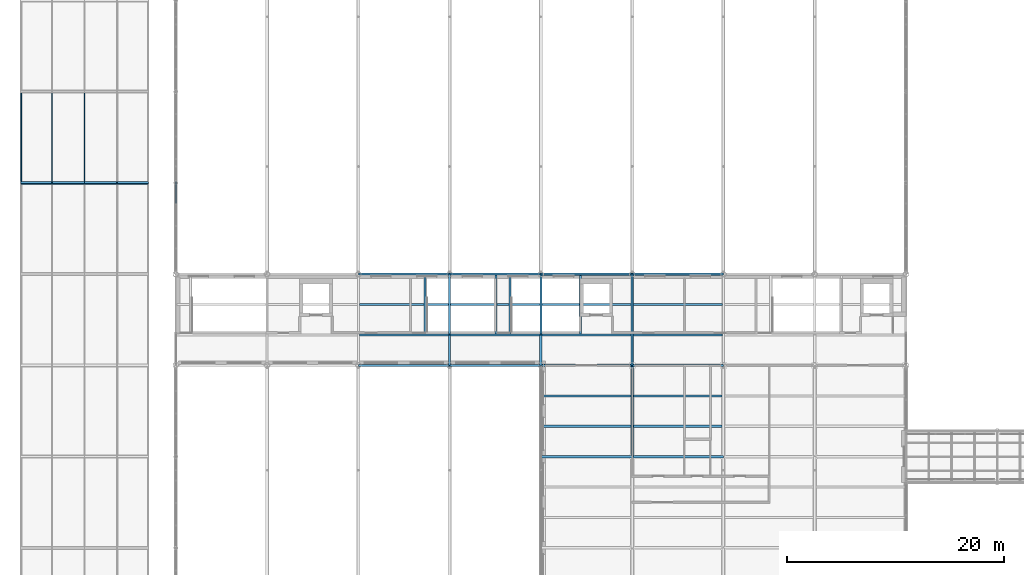
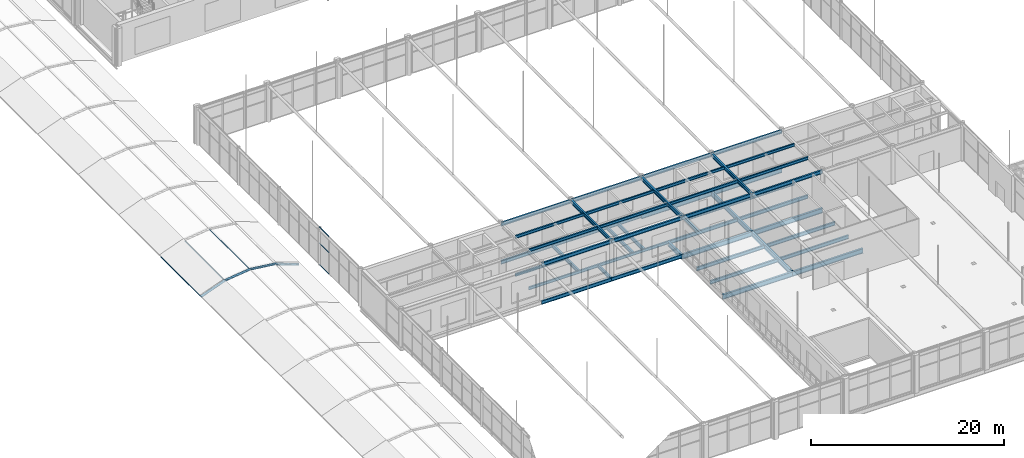
# One storey, part 63 of 167: 49 beams, 10 members, 1 element without a shape of its own.
"""IFC4 building model written with IfcOpenShell, lengths in metres."""

from ifc_helpers import new_model, si_unit, direction, frame, origin, origin_2d, place, context, subcontext, project, spatial, hollow_rectangle, hollow_circle, i_section, extrude, material, material_profile, profile_set, type_object, element, aggregate, save


model = new_model("IFC4")

# Units and contexts
model_context = context("Model", 3, precision=1e-05, world=origin(), true_north=direction((0.0, 1.0)))
body_context = subcontext(model_context, "Body", "Model", "MODEL_VIEW")
ifc_project = project(units=[si_unit("LENGTHUNIT", "METRE"), si_unit("AREAUNIT", "SQUARE_METRE"), si_unit("VOLUMEUNIT", "CUBIC_METRE"), si_unit("PLANEANGLEUNIT", "RADIAN"), si_unit("MASSUNIT", "GRAM", prefix="KILO")], contexts=[model_context])

# Site, building, storey
site_placement = place(None, origin())
site = spatial("IfcSite", under=ifc_project, at=site_placement, CompositionType="ELEMENT")
building_placement = place(site_placement, origin())
building = spatial("IfcBuilding", under=site, at=building_placement, Name="Catenary Quay Ferry Terminal", CompositionType="ELEMENT")
storey_placement = place(building_placement, frame((0.0, 0.0, 6.0)))
storey = spatial("IfcBuildingStorey", under=building, at=storey_placement, Name="L01", CompositionType="ELEMENT", Elevation=6.0)

# Beams
ifc_material_1 = material(Name="Steel S355", Category="steel")
ifc_material_profile_1 = material_profile(ifc_material_1, i_section(OverallWidth=0.18994140625, OverallDepth=0.453369140625, WebThickness=0.008544921875, FlangeThickness=0.0126953125, at=origin_2d()), Name="UB 457x191x67")
ifc_profile_set_1 = profile_set([ifc_material_profile_1], Name="Steel S355")
beam_type_1 = type_object("IfcBeamType", Name="B1 UB 457x191x67", PredefinedType="BEAM", material=ifc_profile_set_1)
beam_1_placement = place(storey_placement, frame((42.0, 100.800048828125, 4.373046875), z_axis=(1.0, 0.0, 0.0), x_axis=(0.0, 1.0, 0.0)))
element("IfcBeam", 1, at=beam_1_placement, inside=storey, type_object=beam_type_1, Name="Beam B1-011", PredefinedType="BEAM", context=body_context, shape_type="SweptSolid", body=[
    extrude(i_section(OverallWidth=0.18994140625, OverallDepth=0.453369140625, WebThickness=0.008544921875, FlangeThickness=0.0126953125, at=origin_2d()), origin(), (0.0, 0.0, 1.0), 8.39990234375),
])
beam_2_placement = place(storey_placement, frame((50.39990234375, 100.800048828125, 4.373046875), z_axis=(1.0, 0.0, 0.0), x_axis=(0.0, 1.0, 0.0)))
element("IfcBeam", 2, at=beam_2_placement, inside=storey, type_object=beam_type_1, Name="Beam B1-012", PredefinedType="BEAM", context=body_context, shape_type="SweptSolid", body=[
    extrude(i_section(OverallWidth=0.18994140625, OverallDepth=0.453369140625, WebThickness=0.008544921875, FlangeThickness=0.0126953125, at=origin_2d()), origin(), (0.0, 0.0, 1.0), 8.400146484375),
])
beam_3_placement = place(storey_placement, frame((58.800048828125, 100.800048828125, 4.373046875), z_axis=(1.0, 0.0, 0.0), x_axis=(0.0, 1.0, 0.0)))
element("IfcBeam", 3, at=beam_3_placement, inside=storey, type_object=beam_type_1, Name="Beam B1-013", PredefinedType="BEAM", context=body_context, shape_type="SweptSolid", body=[
    extrude(i_section(OverallWidth=0.18994140625, OverallDepth=0.453369140625, WebThickness=0.008544921875, FlangeThickness=0.0126953125, at=origin_2d()), origin(), (0.0, 0.0, 1.0), 8.39990234375),
])
beam_4_placement = place(storey_placement, frame((67.199951171875, 100.800048828125, 4.373046875), z_axis=(1.0, 0.0, 0.0), x_axis=(0.0, 1.0, 0.0)))
element("IfcBeam", 4, at=beam_4_placement, inside=storey, type_object=beam_type_1, Name="Beam B1-014", PredefinedType="BEAM", context=body_context, shape_type="SweptSolid", body=[
    extrude(i_section(OverallWidth=0.18994140625, OverallDepth=0.453369140625, WebThickness=0.008544921875, FlangeThickness=0.0126953125, at=origin_2d()), origin(), (0.0, 0.0, 1.0), 8.400146484375),
])
beam_5_placement = place(storey_placement, frame((42.0, 109.199951171875, 4.373046875), z_axis=(1.0, 0.0, 0.0), x_axis=(0.0, 1.0, 0.0)))
element("IfcBeam", 5, at=beam_5_placement, inside=storey, type_object=beam_type_1, Name="Beam B1-019", PredefinedType="BEAM", context=body_context, shape_type="SweptSolid", body=[
    extrude(i_section(OverallWidth=0.18994140625, OverallDepth=0.453369140625, WebThickness=0.008544921875, FlangeThickness=0.0126953125, at=origin_2d()), origin(), (0.0, 0.0, 1.0), 8.39990234375),
])
beam_6_placement = place(storey_placement, frame((50.39990234375, 109.199951171875, 4.373046875), z_axis=(1.0, 0.0, 0.0), x_axis=(0.0, 1.0, 0.0)))
element("IfcBeam", 6, at=beam_6_placement, inside=storey, type_object=beam_type_1, Name="Beam B1-020", PredefinedType="BEAM", context=body_context, shape_type="SweptSolid", body=[
    extrude(i_section(OverallWidth=0.18994140625, OverallDepth=0.453369140625, WebThickness=0.008544921875, FlangeThickness=0.0126953125, at=origin_2d()), origin(), (0.0, 0.0, 1.0), 8.400146484375),
])
beam_7_placement = place(storey_placement, frame((58.800048828125, 109.199951171875, 4.373046875), z_axis=(1.0, 0.0, 0.0), x_axis=(0.0, 1.0, 0.0)))
element("IfcBeam", 7, at=beam_7_placement, inside=storey, type_object=beam_type_1, Name="Beam B1-021", PredefinedType="BEAM", context=body_context, shape_type="SweptSolid", body=[
    extrude(i_section(OverallWidth=0.18994140625, OverallDepth=0.453369140625, WebThickness=0.008544921875, FlangeThickness=0.0126953125, at=origin_2d()), origin(), (0.0, 0.0, 1.0), 8.39990234375),
])
beam_8_placement = place(storey_placement, frame((67.199951171875, 109.199951171875, 4.373046875), z_axis=(1.0, 0.0, 0.0), x_axis=(0.0, 1.0, 0.0)))
element("IfcBeam", 8, at=beam_8_placement, inside=storey, type_object=beam_type_1, Name="Beam B1-022", PredefinedType="BEAM", context=body_context, shape_type="SweptSolid", body=[
    extrude(i_section(OverallWidth=0.18994140625, OverallDepth=0.453369140625, WebThickness=0.008544921875, FlangeThickness=0.0126953125, at=origin_2d()), origin(), (0.0, 0.0, 1.0), 8.400146484375),
])
for number, where, z_axis, x_axis, name in (
    (9, (50.39990234375, 100.800048828125, 4.373046875), (0.0, 1.0, 0.0), (-1.0, 0.0, 0.0), "Beam B1-056"),
    (10, (58.800048828125, 100.800048828125, 4.373046875), (0.0, 1.0, 0.0), (-1.0, 0.0, 0.0), "Beam B1-057"),
    (11, (67.199951171875, 100.800048828125, 4.373046875), (0.0, 1.0, 0.0), (-1.0, 0.0, 0.0), "Beam B1-058"),
    (12, (42.0, 100.800048828125, -0.427001953125), (1.0, 0.0, 0.0), (0.0, 1.0, 0.0), "Beam B1-084"),
):
    element("IfcBeam", number, at=place(storey_placement, frame(where, z_axis=z_axis, x_axis=x_axis)), inside=storey, type_object=beam_type_1, Name=name, PredefinedType="BEAM", context=body_context, shape_type="SweptSolid", body=[
        extrude(i_section(OverallWidth=0.18994140625, OverallDepth=0.453369140625, WebThickness=0.008544921875, FlangeThickness=0.0126953125, at=origin_2d()), origin(), (0.0, 0.0, 1.0), 8.39990234375),
    ])
beam_9_placement = place(storey_placement, frame((50.39990234375, 100.800048828125, -0.427001953125), z_axis=(1.0, 0.0, 0.0), x_axis=(0.0, 1.0, 0.0)))
element("IfcBeam", 13, at=beam_9_placement, inside=storey, type_object=beam_type_1, Name="Beam B1-085", PredefinedType="BEAM", context=body_context, shape_type="SweptSolid", body=[
    extrude(i_section(OverallWidth=0.18994140625, OverallDepth=0.453369140625, WebThickness=0.008544921875, FlangeThickness=0.0126953125, at=origin_2d()), origin(), (0.0, 0.0, 1.0), 8.400146484375),
])
beam_10_placement = place(storey_placement, frame((42.0, 109.199951171875, -0.427001953125), z_axis=(1.0, 0.0, 0.0), x_axis=(0.0, 1.0, 0.0)))
element("IfcBeam", 14, at=beam_10_placement, inside=storey, type_object=beam_type_1, Name="Beam B1-088", PredefinedType="BEAM", context=body_context, shape_type="SweptSolid", body=[
    extrude(i_section(OverallWidth=0.18994140625, OverallDepth=0.453369140625, WebThickness=0.008544921875, FlangeThickness=0.0126953125, at=origin_2d()), origin(), (0.0, 0.0, 1.0), 8.39990234375),
])
beam_11_placement = place(storey_placement, frame((50.39990234375, 109.199951171875, -0.427001953125), z_axis=(1.0, 0.0, 0.0), x_axis=(0.0, 1.0, 0.0)))
element("IfcBeam", 15, at=beam_11_placement, inside=storey, type_object=beam_type_1, Name="Beam B1-089", PredefinedType="BEAM", context=body_context, shape_type="SweptSolid", body=[
    extrude(i_section(OverallWidth=0.18994140625, OverallDepth=0.453369140625, WebThickness=0.008544921875, FlangeThickness=0.0126953125, at=origin_2d()), origin(), (0.0, 0.0, 1.0), 8.400146484375),
])
beam_12_placement = place(storey_placement, frame((50.39990234375, 100.800048828125, -0.427001953125), z_axis=(0.0, 1.0, 0.0), x_axis=(-1.0, 0.0, 0.0)))
element("IfcBeam", 16, at=beam_12_placement, inside=storey, type_object=beam_type_1, Name="Beam B1-093", PredefinedType="BEAM", context=body_context, shape_type="SweptSolid", body=[
    extrude(i_section(OverallWidth=0.18994140625, OverallDepth=0.453369140625, WebThickness=0.008544921875, FlangeThickness=0.0126953125, at=origin_2d()), origin(), (0.0, 0.0, 1.0), 2.800048828125),
])
for number, where, z_axis, x_axis, name in (
    (17, (48.14990234375, 103.68505859375, -0.427001953125), (0.0, 1.0, 0.0), (-1.0, 0.0, 0.0), "Beam B1-095"),
    (18, (54.64990234375, 103.68505859375, -0.427001953125), (0.0, 1.0, 0.0), (-1.0, 0.0, 0.0), "Beam B1-096"),
    (19, (55.949951171875, 103.68505859375, -0.427001953125), (0.0, 1.0, 0.0), (-1.0, 0.0, 0.0), "Beam B1-104"),
):
    element("IfcBeam", number, at=place(storey_placement, frame(where, z_axis=z_axis, x_axis=x_axis)), inside=storey, type_object=beam_type_1, Name=name, PredefinedType="BEAM", context=body_context, shape_type="SweptSolid", body=[
        extrude(i_section(OverallWidth=0.18994140625, OverallDepth=0.453369140625, WebThickness=0.008544921875, FlangeThickness=0.0126953125, at=origin_2d()), origin(), (0.0, 0.0, 1.0), 5.419921875),
    ])
beam_13_placement = place(storey_placement, frame((62.449951171875, 103.695068359375, -0.427001953125), z_axis=(0.0, 1.0, 0.0), x_axis=(-1.0, 0.0, 0.0)))
element("IfcBeam", 20, at=beam_13_placement, inside=storey, type_object=beam_type_1, Name="Beam B1-105", PredefinedType="BEAM", context=body_context, shape_type="SweptSolid", body=[
    extrude(i_section(OverallWidth=0.18994140625, OverallDepth=0.453369140625, WebThickness=0.008544921875, FlangeThickness=0.0126953125, at=origin_2d()), origin(), (0.0, 0.0, 1.0), 5.390869140625),
])
ifc_material_2 = material(Name="Steel S355", Category="steel")
ifc_material_profile_2 = material_profile(ifc_material_2, i_section(OverallWidth=0.2275390625, OverallDepth=0.6025390625, WebThickness=0.010498046875, FlangeThickness=0.014892578125, at=origin_2d()), Name="UB 610x229x101")
ifc_profile_set_2 = profile_set([ifc_material_profile_2], Name="Steel S355")
beam_type_2 = type_object("IfcBeamType", Name="B3 UB 610x229x101", PredefinedType="BEAM", material=ifc_profile_set_2)
beam_14_placement = place(storey_placement, frame((58.800048828125, 92.39990234375, -0.5009765625), z_axis=(1.0, 0.0, 0.0), x_axis=(0.0, 1.0, 0.0)))
element("IfcBeam", 21, at=beam_14_placement, inside=storey, type_object=beam_type_2, Name="Beam B3-013", PredefinedType="BEAM", context=body_context, shape_type="SweptSolid", body=[
    extrude(i_section(OverallWidth=0.2275390625, OverallDepth=0.6025390625, WebThickness=0.010498046875, FlangeThickness=0.014892578125, at=origin_2d()), origin(), (0.0, 0.0, 1.0), 8.39990234375),
])
beam_15_placement = place(storey_placement, frame((67.199951171875, 92.39990234375, -0.5009765625), z_axis=(1.0, 0.0, 0.0), x_axis=(0.0, 1.0, 0.0)))
element("IfcBeam", 22, at=beam_15_placement, inside=storey, type_object=beam_type_2, Name="Beam B3-014", PredefinedType="BEAM", context=body_context, shape_type="SweptSolid", body=[
    extrude(i_section(OverallWidth=0.2275390625, OverallDepth=0.6025390625, WebThickness=0.010498046875, FlangeThickness=0.014892578125, at=origin_2d()), origin(), (0.0, 0.0, 1.0), 8.400146484375),
])
beam_16_placement = place(storey_placement, frame((58.800048828125, 100.800048828125, -0.5009765625), z_axis=(1.0, 0.0, 0.0), x_axis=(0.0, 1.0, 0.0)))
element("IfcBeam", 23, at=beam_16_placement, inside=storey, type_object=beam_type_2, Name="Beam B3-017", PredefinedType="BEAM", context=body_context, shape_type="SweptSolid", body=[
    extrude(i_section(OverallWidth=0.2275390625, OverallDepth=0.6025390625, WebThickness=0.010498046875, FlangeThickness=0.014892578125, at=origin_2d()), origin(), (0.0, 0.0, 1.0), 8.39990234375),
])
beam_17_placement = place(storey_placement, frame((67.199951171875, 100.800048828125, -0.5009765625), z_axis=(1.0, 0.0, 0.0), x_axis=(0.0, 1.0, 0.0)))
element("IfcBeam", 24, at=beam_17_placement, inside=storey, type_object=beam_type_2, Name="Beam B3-018", PredefinedType="BEAM", context=body_context, shape_type="SweptSolid", body=[
    extrude(i_section(OverallWidth=0.2275390625, OverallDepth=0.6025390625, WebThickness=0.010498046875, FlangeThickness=0.014892578125, at=origin_2d()), origin(), (0.0, 0.0, 1.0), 8.400146484375),
])
beam_18_placement = place(storey_placement, frame((58.800048828125, 109.199951171875, -0.5009765625), z_axis=(1.0, 0.0, 0.0), x_axis=(0.0, 1.0, 0.0)))
element("IfcBeam", 25, at=beam_18_placement, inside=storey, type_object=beam_type_2, Name="Beam B3-021", PredefinedType="BEAM", context=body_context, shape_type="SweptSolid", body=[
    extrude(i_section(OverallWidth=0.2275390625, OverallDepth=0.6025390625, WebThickness=0.010498046875, FlangeThickness=0.014892578125, at=origin_2d()), origin(), (0.0, 0.0, 1.0), 8.39990234375),
])
beam_19_placement = place(storey_placement, frame((67.199951171875, 109.199951171875, -0.5009765625), z_axis=(1.0, 0.0, 0.0), x_axis=(0.0, 1.0, 0.0)))
element("IfcBeam", 26, at=beam_19_placement, inside=storey, type_object=beam_type_2, Name="Beam B3-022", PredefinedType="BEAM", context=body_context, shape_type="SweptSolid", body=[
    extrude(i_section(OverallWidth=0.2275390625, OverallDepth=0.6025390625, WebThickness=0.010498046875, FlangeThickness=0.014892578125, at=origin_2d()), origin(), (0.0, 0.0, 1.0), 8.400146484375),
])
beam_20_placement = place(storey_placement, frame((58.800048828125, 100.800048828125, -0.5009765625), z_axis=(0.0, 1.0, 0.0), x_axis=(-1.0, 0.0, 0.0)))
element("IfcBeam", 27, at=beam_20_placement, inside=storey, type_object=beam_type_2, Name="Beam B3-029", PredefinedType="BEAM", context=body_context, shape_type="SweptSolid", body=[
    extrude(i_section(OverallWidth=0.2275390625, OverallDepth=0.6025390625, WebThickness=0.010498046875, FlangeThickness=0.014892578125, at=origin_2d()), origin(), (0.0, 0.0, 1.0), 2.800048828125),
])
beam_21_placement = place(storey_placement, frame((67.199951171875, 92.39990234375, -0.5009765625), z_axis=(0.0, 1.0, 0.0), x_axis=(-1.0, 0.0, 0.0)))
element("IfcBeam", 28, at=beam_21_placement, inside=storey, type_object=beam_type_2, Name="Beam B3-033", PredefinedType="BEAM", context=body_context, shape_type="SweptSolid", body=[
    extrude(i_section(OverallWidth=0.2275390625, OverallDepth=0.6025390625, WebThickness=0.010498046875, FlangeThickness=0.014892578125, at=origin_2d()), origin(), (0.0, 0.0, 1.0), 8.400146484375),
])
beam_22_placement = place(storey_placement, frame((67.199951171875, 100.800048828125, -0.5009765625), z_axis=(0.0, 1.0, 0.0), x_axis=(-1.0, 0.0, 0.0)))
element("IfcBeam", 29, at=beam_22_placement, inside=storey, type_object=beam_type_2, Name="Beam B3-034", PredefinedType="BEAM", context=body_context, shape_type="SweptSolid", body=[
    extrude(i_section(OverallWidth=0.2275390625, OverallDepth=0.6025390625, WebThickness=0.010498046875, FlangeThickness=0.014892578125, at=origin_2d()), origin(), (0.0, 0.0, 1.0), 8.39990234375),
])
ifc_material_3 = material(Name="Steel S355", Category="steel")
ifc_material_profile_3 = material_profile(ifc_material_3, i_section(OverallWidth=0.18994140625, OverallDepth=0.449951171875, WebThickness=0.009521484375, FlangeThickness=0.0146484375, at=origin_2d()), Name="IPE 450")
ifc_profile_set_3 = profile_set([ifc_material_profile_3], Name="Steel S355")
beam_type_3 = type_object("IfcBeamType", Name="B4 IPE 450", PredefinedType="BEAM", material=ifc_profile_set_3)
beam_23_placement = place(storey_placement, frame((58.9140625, 95.199951171875, -0.425048828125), z_axis=(1.0, 0.0, 0.0), x_axis=(0.0, 1.0, 0.0)))
element("IfcBeam", 30, at=beam_23_placement, inside=storey, type_object=beam_type_3, Name="Beam B4-021", PredefinedType="BEAM", context=body_context, shape_type="SweptSolid", body=[
    extrude(i_section(OverallWidth=0.18994140625, OverallDepth=0.449951171875, WebThickness=0.009521484375, FlangeThickness=0.0146484375, at=origin_2d()), origin(), (0.0, 0.0, 1.0), 8.171875),
])
beam_24_placement = place(storey_placement, frame((67.31396484375, 95.199951171875, -0.425048828125), z_axis=(1.0, 0.0, 0.0), x_axis=(0.0, 1.0, 0.0)))
element("IfcBeam", 31, at=beam_24_placement, inside=storey, type_object=beam_type_3, Name="Beam B4-022", PredefinedType="BEAM", context=body_context, shape_type="SweptSolid", body=[
    extrude(i_section(OverallWidth=0.18994140625, OverallDepth=0.449951171875, WebThickness=0.009521484375, FlangeThickness=0.0146484375, at=origin_2d()), origin(), (0.0, 0.0, 1.0), 8.172119140625),
])
beam_25_placement = place(storey_placement, frame((58.9140625, 98.0, -0.425048828125), z_axis=(1.0, 0.0, 0.0), x_axis=(0.0, 1.0, 0.0)))
element("IfcBeam", 32, at=beam_25_placement, inside=storey, type_object=beam_type_3, Name="Beam B4-025", PredefinedType="BEAM", context=body_context, shape_type="SweptSolid", body=[
    extrude(i_section(OverallWidth=0.18994140625, OverallDepth=0.449951171875, WebThickness=0.009521484375, FlangeThickness=0.0146484375, at=origin_2d()), origin(), (0.0, 0.0, 1.0), 8.171875),
])
beam_26_placement = place(storey_placement, frame((67.31396484375, 98.0, -0.425048828125), z_axis=(1.0, 0.0, 0.0), x_axis=(0.0, 1.0, 0.0)))
element("IfcBeam", 33, at=beam_26_placement, inside=storey, type_object=beam_type_3, Name="Beam B4-026", PredefinedType="BEAM", context=body_context, shape_type="SweptSolid", body=[
    extrude(i_section(OverallWidth=0.18994140625, OverallDepth=0.449951171875, WebThickness=0.009521484375, FlangeThickness=0.0146484375, at=origin_2d()), origin(), (0.0, 0.0, 1.0), 8.172119140625),
])
beam_27_placement = place(storey_placement, frame((58.800048828125, 103.60009765625, -0.425048828125), z_axis=(1.0, 0.0, 0.0), x_axis=(0.0, 1.0, 0.0)))
element("IfcBeam", 34, at=beam_27_placement, inside=storey, type_object=beam_type_3, Name="Beam B4-029", PredefinedType="BEAM", context=body_context, shape_type="SweptSolid", body=[
    extrude(i_section(OverallWidth=0.18994140625, OverallDepth=0.449951171875, WebThickness=0.009521484375, FlangeThickness=0.0146484375, at=origin_2d()), origin(), (0.0, 0.0, 1.0), 8.285888671875),
])
beam_28_placement = place(storey_placement, frame((67.31396484375, 103.60009765625, -0.425048828125), z_axis=(1.0, 0.0, 0.0), x_axis=(0.0, 1.0, 0.0)))
element("IfcBeam", 35, at=beam_28_placement, inside=storey, type_object=beam_type_3, Name="Beam B4-030", PredefinedType="BEAM", context=body_context, shape_type="SweptSolid", body=[
    extrude(i_section(OverallWidth=0.18994140625, OverallDepth=0.449951171875, WebThickness=0.009521484375, FlangeThickness=0.0146484375, at=origin_2d()), origin(), (0.0, 0.0, 1.0), 8.172119140625),
])
beam_29_placement = place(storey_placement, frame((62.544921875, 106.39990234375, -0.425048828125), z_axis=(1.0, 0.0, 0.0), x_axis=(0.0, 1.0, 0.0)))
element("IfcBeam", 36, at=beam_29_placement, inside=storey, type_object=beam_type_3, Name="Beam B4-033", PredefinedType="BEAM", context=body_context, shape_type="SweptSolid", body=[
    extrude(i_section(OverallWidth=0.18994140625, OverallDepth=0.449951171875, WebThickness=0.009521484375, FlangeThickness=0.0146484375, at=origin_2d()), origin(), (0.0, 0.0, 1.0), 4.541015625),
])
beam_30_placement = place(storey_placement, frame((67.31396484375, 106.39990234375, -0.425048828125), z_axis=(1.0, 0.0, 0.0), x_axis=(0.0, 1.0, 0.0)))
element("IfcBeam", 37, at=beam_30_placement, inside=storey, type_object=beam_type_3, Name="Beam B4-034", PredefinedType="BEAM", context=body_context, shape_type="SweptSolid", body=[
    extrude(i_section(OverallWidth=0.18994140625, OverallDepth=0.449951171875, WebThickness=0.009521484375, FlangeThickness=0.0146484375, at=origin_2d()), origin(), (0.0, 0.0, 1.0), 8.172119140625),
])
ifc_material_4 = material(Name="Steel S355", Category="steel")
ifc_material_profile_4 = material_profile(ifc_material_4, i_section(OverallWidth=0.169921875, OverallDepth=0.360107421875, WebThickness=0.008056640625, FlangeThickness=0.0126953125, at=origin_2d()), Name="IPE 360")
ifc_profile_set_4 = profile_set([ifc_material_profile_4], Name="Steel S355")
beam_type_4 = type_object("IfcBeamType", Name="B7 IPE 360", PredefinedType="BEAM", material=ifc_profile_set_4)
for number, where, z_axis, x_axis, name in (
    (38, (42.094970703125, 103.60009765625, 4.419921875), (1.0, 0.0, 0.0), (0.0, 1.0, 0.0), "Beam B7-003"),
    (39, (50.4951171875, 103.60009765625, 4.419921875), (1.0, 0.0, 0.0), (0.0, 1.0, 0.0), "Beam B7-004"),
    (40, (58.89501953125, 103.60009765625, 4.419921875), (1.0, 0.0, 0.0), (0.0, 1.0, 0.0), "Beam B7-005"),
    (41, (67.294921875, 103.60009765625, 4.419921875), (1.0, 0.0, 0.0), (0.0, 1.0, 0.0), "Beam B7-006"),
    (42, (42.094970703125, 106.39990234375, 4.419921875), (1.0, 0.0, 0.0), (0.0, 1.0, 0.0), "Beam B7-011"),
    (43, (50.4951171875, 106.39990234375, 4.419921875), (1.0, 0.0, 0.0), (0.0, 1.0, 0.0), "Beam B7-012"),
    (44, (58.89501953125, 106.39990234375, 4.419921875), (1.0, 0.0, 0.0), (0.0, 1.0, 0.0), "Beam B7-013"),
    (45, (67.294921875, 106.39990234375, 4.419921875), (1.0, 0.0, 0.0), (0.0, 1.0, 0.0), "Beam B7-014"),
):
    element("IfcBeam", number, at=place(storey_placement, frame(where, z_axis=z_axis, x_axis=x_axis)), inside=storey, type_object=beam_type_4, Name=name, PredefinedType="BEAM", context=body_context, shape_type="SweptSolid", body=[
        extrude(i_section(OverallWidth=0.169921875, OverallDepth=0.360107421875, WebThickness=0.008056640625, FlangeThickness=0.0126953125, at=origin_2d()), origin(), (0.0, 0.0, 1.0), 8.2099609375),
    ])
beam_31_placement = place(storey_placement, frame((42.094970703125, 103.60009765625, -0.3798828125), z_axis=(1.0, 0.0, 0.0), x_axis=(0.0, 1.0, 0.0)))
element("IfcBeam", 46, at=beam_31_placement, inside=storey, type_object=beam_type_4, Name="Beam B7-019", PredefinedType="BEAM", context=body_context, shape_type="SweptSolid", body=[
    extrude(i_section(OverallWidth=0.169921875, OverallDepth=0.360107421875, WebThickness=0.008056640625, FlangeThickness=0.0126953125, at=origin_2d()), origin(), (0.0, 0.0, 1.0), 8.304931640625),
])
beam_32_placement = place(storey_placement, frame((50.39990234375, 103.60009765625, -0.3798828125), z_axis=(1.0, 0.0, 0.0), x_axis=(0.0, 1.0, 0.0)))
element("IfcBeam", 47, at=beam_32_placement, inside=storey, type_object=beam_type_4, Name="Beam B7-020", PredefinedType="BEAM", context=body_context, shape_type="SweptSolid", body=[
    extrude(i_section(OverallWidth=0.169921875, OverallDepth=0.360107421875, WebThickness=0.008056640625, FlangeThickness=0.0126953125, at=origin_2d()), origin(), (0.0, 0.0, 1.0), 8.400146484375),
])
beam_33_placement = place(storey_placement, frame((42.094970703125, 106.39990234375, -0.3798828125), z_axis=(1.0, 0.0, 0.0), x_axis=(0.0, 1.0, 0.0)))
element("IfcBeam", 48, at=beam_33_placement, inside=storey, type_object=beam_type_4, Name="Beam B7-023", PredefinedType="BEAM", context=body_context, shape_type="SweptSolid", body=[
    extrude(i_section(OverallWidth=0.169921875, OverallDepth=0.360107421875, WebThickness=0.008056640625, FlangeThickness=0.0126953125, at=origin_2d()), origin(), (0.0, 0.0, 1.0), 5.9599609375),
])
beam_34_placement = place(storey_placement, frame((54.7451171875, 106.39990234375, -0.3798828125), z_axis=(1.0, 0.0, 0.0), x_axis=(0.0, 1.0, 0.0)))
element("IfcBeam", 49, at=beam_34_placement, inside=storey, type_object=beam_type_4, Name="Beam B7-024", PredefinedType="BEAM", context=body_context, shape_type="SweptSolid", body=[
    extrude(i_section(OverallWidth=0.169921875, OverallDepth=0.360107421875, WebThickness=0.008056640625, FlangeThickness=0.0126953125, at=origin_2d()), origin(), (0.0, 0.0, 1.0), 1.10986328125),
])

# Members
ifc_material_5 = material(Name="Steel S355", Category="steel")
ifc_material_profile_5 = material_profile(ifc_material_5, hollow_circle(Radius=0.05712890625, WallThickness=0.00634765625, at=origin_2d()), Name="CHS 114.3x6.3")
ifc_profile_set_5 = profile_set([ifc_material_profile_5], Name="Steel S355")
member_type_1 = type_object("IfcMemberType", Name="PU2 CHS 114.3x6.3", PredefinedType="PURLIN", material=ifc_profile_set_5)
for number, where, z_axis, x_axis, name in (
    (50, (10.970947265625, 117.72998046875, 0.98388671875), (0.0, 1.0, 0.0), (-1.0, 0.0, 0.0), "Purlin PU-FC-07-01"),
    (51, (13.802978515625, 117.72998046875, 2.031005859375), (0.0, 1.0, 0.0), (-1.0, 0.0, 0.0), "Purlin PU-FC-07-02"),
    (52, (16.800048828125, 117.72998046875, 2.39990234375), (0.0, 1.0, 0.0), (-1.0, 0.0, 0.0), "Purlin PU-FC-07-03"),
):
    element("IfcMember", number, at=place(storey_placement, frame(where, z_axis=z_axis, x_axis=x_axis)), inside=storey, type_object=member_type_1, Name=name, PredefinedType="PURLIN", context=body_context, shape_type="SweptSolid", body=[
        extrude(hollow_circle(Radius=0.05712890625, WallThickness=0.00634765625, at=origin_2d()), origin(), (0.0, 0.0, 1.0), 8.14013671875),
    ])

# Curtain wall, members
ifc_material_6 = material(Name="Aluminium and glass", Category="aluminium")
curtain_wall_type = type_object("IfcCurtainWallType", Name="CWG", PredefinedType="NOTDEFINED", material=ifc_material_6)
curtain_wall_placement = place(storey_placement, origin())
curtain_wall = element("IfcCurtainWall", 53, at=curtain_wall_placement, inside=storey, type_object=curtain_wall_type, Name="Gable departure hall curtain wall CW16", PredefinedType="NOTDEFINED")
ifc_material_7 = material(Name="Aluminium", Category="aluminium")
ifc_material_profile_6 = material_profile(ifc_material_7, hollow_rectangle(XDim=0.06005859375, YDim=0.10009765625, WallThickness=0.0048828125, at=origin_2d()), Name="TR2")
ifc_profile_set_6 = profile_set([ifc_material_profile_6], Name="Aluminium")
member_type_2 = type_object("IfcMemberType", Name="TR2", PredefinedType="USERDEFINED", material=ifc_profile_set_6)
member_1_placement = place(storey_placement, frame((25.199951171875, 115.717529296875, 0.030029296875), z_axis=(0.0, 1.0, 0.0), x_axis=(-1.0, 0.0, 0.0)))
member_1 = element("IfcMember", 54, at=member_1_placement, type_object=member_type_2, Name="CW16 transom 4.1", ObjectType="TRANSOM", PredefinedType="USERDEFINED", context=body_context, shape_type="SweptSolid", body=[
    extrude(hollow_rectangle(XDim=0.06005859375, YDim=0.10009765625, WallThickness=0.0048828125, at=origin_2d()), origin(), (0.0, 0.0, 1.0), 2.00244140625),
])
member_2_placement = place(storey_placement, frame((25.199951171875, 115.717529296875, 2.699951171875), z_axis=(0.0, 1.0, 0.0), x_axis=(-1.0, 0.0, 0.0)))
member_2 = element("IfcMember", 55, at=member_2_placement, type_object=member_type_2, Name="CW16 transom 4.2", ObjectType="TRANSOM", PredefinedType="USERDEFINED", context=body_context, shape_type="SweptSolid", body=[
    extrude(hollow_rectangle(XDim=0.06005859375, YDim=0.10009765625, WallThickness=0.0048828125, at=origin_2d()), origin(), (0.0, 0.0, 1.0), 2.00244140625),
])
member_3_placement = place(storey_placement, frame((25.199951171875, 115.717529296875, 4.77001953125), z_axis=(0.0, 1.0, 0.0), x_axis=(-1.0, 0.0, 0.0)))
member_3 = element("IfcMember", 56, at=member_3_placement, type_object=member_type_2, Name="CW16 transom 4.3", ObjectType="TRANSOM", PredefinedType="USERDEFINED", context=body_context, shape_type="SweptSolid", body=[
    extrude(hollow_rectangle(XDim=0.06005859375, YDim=0.10009765625, WallThickness=0.0048828125, at=origin_2d()), origin(), (0.0, 0.0, 1.0), 2.00244140625),
])
aggregate(curtain_wall, [member_1, member_2, member_3])

# Members
ifc_material_8 = material(Name="Steel S355", Category="steel")
ifc_material_profile_7 = material_profile(ifc_material_8, hollow_circle(Radius=0.136474609375, WallThickness=0.012451171875, at=origin_2d()), Name="CHS 273x12.5")
ifc_profile_set_7 = profile_set([ifc_material_profile_7], Name="Steel S355")
member_type_3 = type_object("IfcMemberType", Name="VR2 CHS 273x12.5", PredefinedType="RAFTER", material=ifc_profile_set_7)
member_4_placement = place(storey_placement, frame((10.970947265625, 117.60009765625, 0.98388671875), z_axis=(0.937940762231, 0.0, 0.346795511139), x_axis=(0.0, 1.0, 0.0)))
element("IfcMember", 57, at=member_4_placement, inside=storey, type_object=member_type_3, Name="rib FC-07-02", PredefinedType="RAFTER", context=body_context, shape_type="SweptSolid", body=[
    extrude(hollow_circle(Radius=0.136474609375, WallThickness=0.012451171875, at=origin_2d()), origin(), (0.0, 0.0, 1.0), 3.01953125),
])
for number, where, z_axis, x_axis, name in (
    (58, (13.802978515625, 117.60009765625, 2.031005859375), (0.992509955251, 0.0, 0.122163778298), (0.0, 1.0, 0.0), "rib FC-07-03"),
    (59, (16.800048828125, 117.60009765625, 2.39990234375), (0.992509955251, 0.0, -0.122163778298), (0.0, 1.0, 0.0), "rib FC-07-04"),
):
    element("IfcMember", number, at=place(storey_placement, frame(where, z_axis=z_axis, x_axis=x_axis)), inside=storey, type_object=member_type_3, Name=name, PredefinedType="RAFTER", context=body_context, shape_type="SweptSolid", body=[
        extrude(hollow_circle(Radius=0.136474609375, WallThickness=0.012451171875, at=origin_2d()), origin(), (0.0, 0.0, 1.0), 3.019775390625),
    ])
member_5_placement = place(storey_placement, frame((19.797119140625, 117.60009765625, 2.031005859375), z_axis=(0.93793103669, 0.0, -0.346821813636), x_axis=(0.0, 1.0, 0.0)))
element("IfcMember", 60, at=member_5_placement, inside=storey, type_object=member_type_3, Name="rib FC-07-05", PredefinedType="RAFTER", context=body_context, shape_type="SweptSolid", body=[
    extrude(hollow_circle(Radius=0.136474609375, WallThickness=0.012451171875, at=origin_2d()), origin(), (0.0, 0.0, 1.0), 3.019287109375),
])

save(model, "model.ifc")
